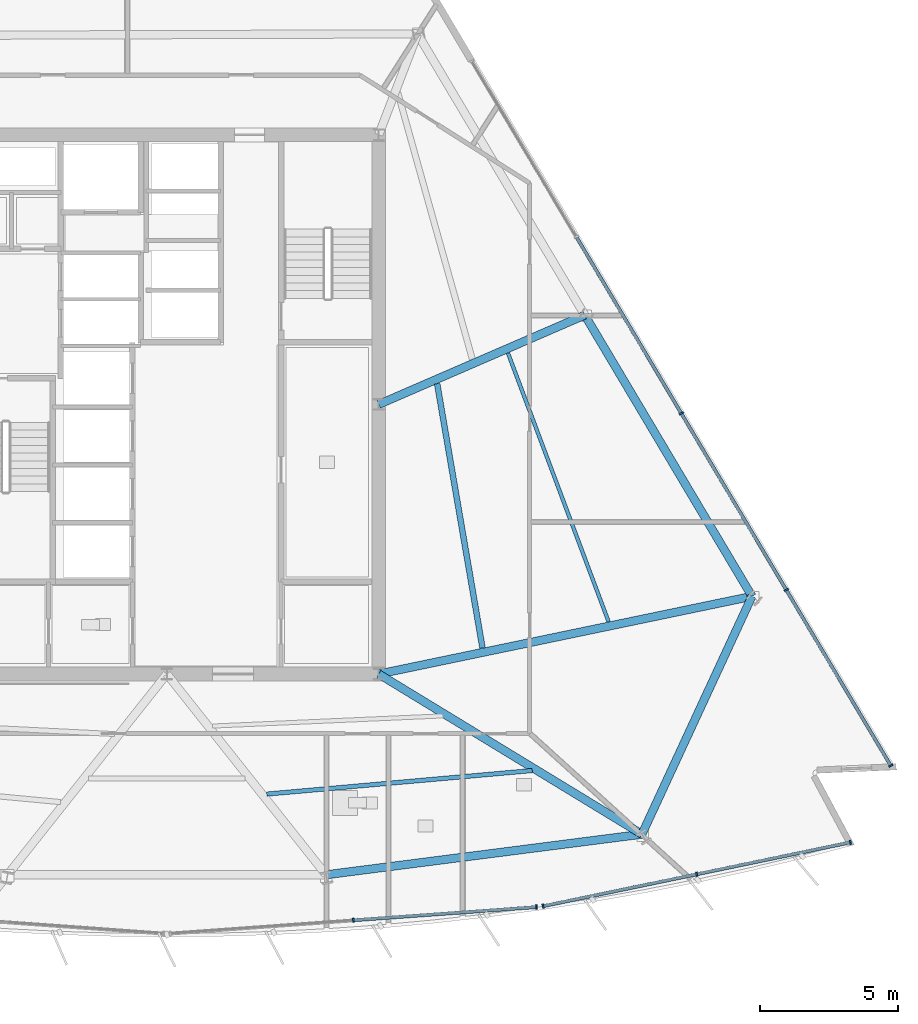
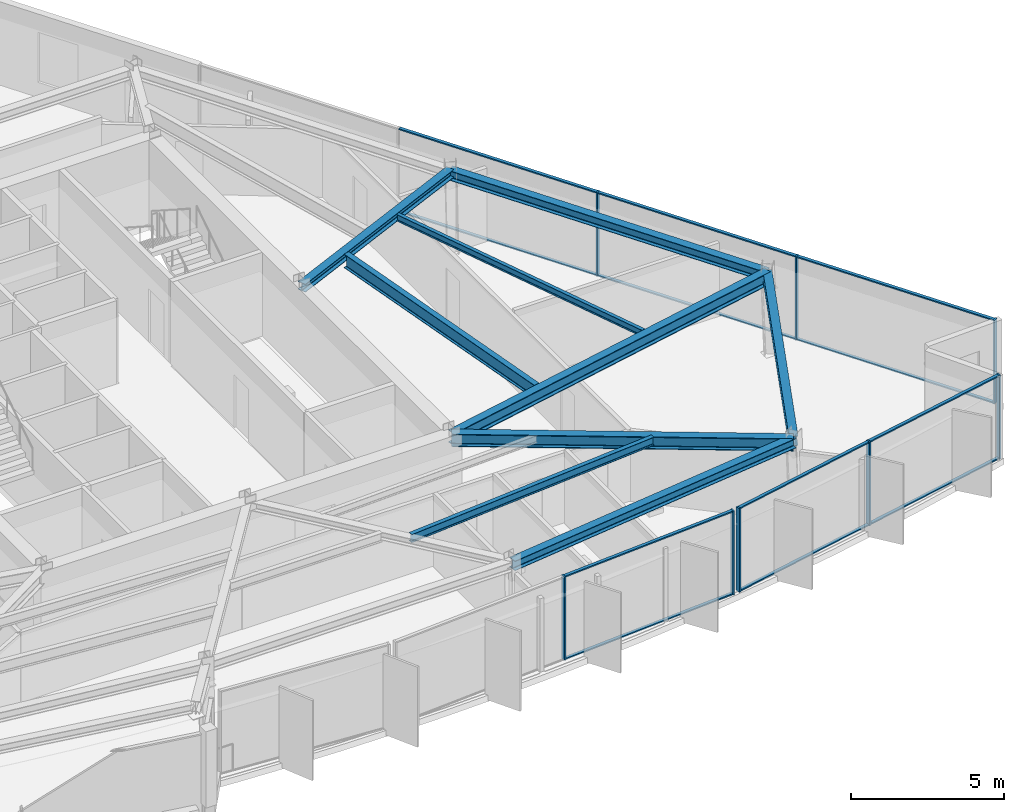
# One storey, part 5 of 14: 20 members, 9 beams, 3 elements without a shape of their own.
"""IFC4 building model written with IfcOpenShell, lengths in metres."""

from ifc_helpers import new_model, si_unit, direction, frame, origin, origin_2d, place, context, subcontext, project, spatial, rectangle, i_section, extrude, material, material_profile, profile_set, type_object, element, aggregate, save


model = new_model("IFC4")

# Units and contexts
model_context = context("Model", 3, precision=1e-05, world=origin(), true_north=direction((0.0, 1.0)))
body_context = subcontext(model_context, "Body", "Model", "MODEL_VIEW")
ifc_project = project(units=[si_unit("LENGTHUNIT", "METRE"), si_unit("AREAUNIT", "SQUARE_METRE"), si_unit("VOLUMEUNIT", "CUBIC_METRE"), si_unit("PLANEANGLEUNIT", "RADIAN"), si_unit("MASSUNIT", "GRAM", prefix="KILO")], contexts=[model_context])

# Site, building, storey
site_placement = place(None, origin())
site = spatial("IfcSite", under=ifc_project, at=site_placement, CompositionType="ELEMENT")
building_placement = place(site_placement, origin())
building = spatial("IfcBuilding", under=site, at=building_placement, Name="Savorim Split Tower", CompositionType="ELEMENT")
storey_placement = place(building_placement, frame((0.0, 0.0, 178.199951171875)))
storey = spatial("IfcBuildingStorey", under=building, at=storey_placement, Name="L47", CompositionType="ELEMENT", Elevation=178.199951171875)

# Beams
ifc_material_1 = material(Name="Steel S355", Category="steel")
ifc_material_profile_1 = material_profile(ifc_material_1, i_section(OverallWidth=0.135009765625, OverallDepth=0.27001953125, WebThickness=0.006591796875, FlangeThickness=0.01025390625, FilletRadius=0.014892578125, at=origin_2d()), Name="IPE 270")
ifc_profile_set_1 = profile_set([ifc_material_profile_1], Name="Steel S355")
beam_type_1 = type_object("IfcBeamType", Name="BM-JST-IPE270", PredefinedType="JOIST", material=ifc_profile_set_1)
beam_1_placement = place(storey_placement, frame((16.053955078125, -7.49853515625, 3.215087890625), z_axis=(-0.350743502753, 0.936471566721, 0.0), x_axis=(-0.936471566721, -0.350743502753, 0.0)))
element("IfcBeam", 1, at=beam_1_placement, inside=storey, type_object=beam_type_1, Name="L47 Secondary Floor Joist JS-06", PredefinedType="JOIST", context=body_context, shape_type="SweptSolid", body=[
    extrude(i_section(OverallWidth=0.135009765625, OverallDepth=0.27001953125, WebThickness=0.006591796875, FlangeThickness=0.01025390625, FilletRadius=0.014892578125, at=origin_2d()), origin(), (0.0, 0.0, 1.0), 10.4228515625),
])
ifc_material_profile_2 = material_profile(ifc_material_1, i_section(OverallWidth=0.159912109375, OverallDepth=0.330078125, WebThickness=0.007568359375, FlangeThickness=0.011474609375, FilletRadius=0.01806640625, at=origin_2d()), Name="IPE 330")
ifc_profile_set_2 = profile_set([ifc_material_profile_2], Name="Steel S355")
beam_type_2 = type_object("IfcBeamType", Name="BM-JST-IPE330", PredefinedType="JOIST", material=ifc_profile_set_2)
beam_2_placement = place(storey_placement, frame((3.631103515625, -13.762939453125, 3.18505859375), z_axis=(0.996087741939, 0.088369736664, 0.0), x_axis=(-0.088369736664, 0.996087741939, 0.0)))
element("IfcBeam", 2, at=beam_2_placement, inside=storey, type_object=beam_type_2, Name="L47 Secondary Floor Joist JS-04", PredefinedType="JOIST", context=body_context, shape_type="SweptSolid", body=[
    extrude(i_section(OverallWidth=0.159912109375, OverallDepth=0.330078125, WebThickness=0.007568359375, FlangeThickness=0.011474609375, FilletRadius=0.01806640625, at=origin_2d()), origin(), (0.0, 0.0, 1.0), 9.68603515625),
])
ifc_material_profile_3 = material_profile(ifc_material_1, i_section(OverallWidth=0.2099609375, OverallDepth=0.550048828125, WebThickness=0.010986328125, FlangeThickness=0.01708984375, FilletRadius=0.02392578125, at=origin_2d()), Name="IPE 550")
ifc_profile_set_3 = profile_set([ifc_material_profile_3], Name="Steel S355")
beam_type_3 = type_object("IfcBeamType", Name="BM-JST-IPE550", PredefinedType="JOIST", material=ifc_profile_set_3)
beam_3_placement = place(storey_placement, frame((11.470947265625, -8.451416015625, 3.074951171875), z_axis=(-0.169098747095, 0.985599114108, 0.0), x_axis=(-0.985599114108, -0.169098747095, 0.0)))
element("IfcBeam", 3, at=beam_3_placement, inside=storey, type_object=beam_type_3, Name="L47 Secondary Floor Joist JS-08", PredefinedType="JOIST", context=body_context, shape_type="SweptSolid", body=[
    extrude(i_section(OverallWidth=0.2099609375, OverallDepth=0.550048828125, WebThickness=0.010986328125, FlangeThickness=0.01708984375, FilletRadius=0.02392578125, at=origin_2d()), origin(), (0.0, 0.0, 1.0), 9.74267578125),
])
ifc_material_profile_4 = material_profile(ifc_material_1, i_section(OverallWidth=0.300048828125, OverallDepth=0.320068359375, WebThickness=0.011474609375, FlangeThickness=0.0205078125, FilletRadius=0.027099609375, at=origin_2d()), Name="HEB 320")
ifc_profile_set_4 = profile_set([ifc_material_profile_4], Name="Steel S355")
beam_type_4 = type_object("IfcBeamType", Name="BM-PRI-HEB320", PredefinedType="BEAM", material=ifc_profile_set_4)
beam_4_placement = place(storey_placement, frame((15.1875, 3.6455078125, 3.18994140625), z_axis=(-0.917510870599, -0.397710701808, 0.0), x_axis=(0.397710701808, -0.917510870599, 0.0)))
element("IfcBeam", 4, at=beam_4_placement, inside=storey, type_object=beam_type_4, Name="L47 Primary Floor Girder RG-06", PredefinedType="BEAM", context=body_context, shape_type="SweptSolid", body=[
    extrude(i_section(OverallWidth=0.300048828125, OverallDepth=0.320068359375, WebThickness=0.011474609375, FlangeThickness=0.0205078125, FilletRadius=0.027099609375, at=origin_2d()), origin(), (0.0, 0.0, 1.0), 8.16064453125),
])
ifc_material_profile_5 = material_profile(ifc_material_1, i_section(OverallWidth=0.300048828125, OverallDepth=0.5, WebThickness=0.014404296875, FlangeThickness=0.028076171875, FilletRadius=0.027099609375, at=origin_2d()), Name="HEB 500")
ifc_profile_set_5 = profile_set([ifc_material_profile_5], Name="Steel S355")
beam_type_5 = type_object("IfcBeamType", Name="BM-PRI-HEB500", PredefinedType="BEAM", material=ifc_profile_set_5)
beam_5_placement = place(storey_placement, frame((17.264404296875, -15.221435546875, 3.10009765625), z_axis=(-0.854210765866, 0.519926886667, 0.0), x_axis=(-0.519926886667, -0.854210765866, 0.0)))
element("IfcBeam", 5, at=beam_5_placement, inside=storey, type_object=beam_type_5, Name="L47 Primary Floor Girder RG-04", PredefinedType="BEAM", context=body_context, shape_type="SweptSolid", body=[
    extrude(i_section(OverallWidth=0.300048828125, OverallDepth=0.5, WebThickness=0.014404296875, FlangeThickness=0.028076171875, FilletRadius=0.027099609375, at=origin_2d()), origin(), (0.0, 0.0, 1.0), 11.19677734375),
])
beam_6_placement = place(storey_placement, frame((21.2646484375, -6.574951171875, 3.10009765625), z_axis=(-0.978995222806, -0.203883186463, 0.0), x_axis=(0.203883186463, -0.978995222806, 0.0)))
element("IfcBeam", 6, at=beam_6_placement, inside=storey, type_object=beam_type_5, Name="L47 Primary Floor Girder RG-05", PredefinedType="BEAM", context=body_context, shape_type="SweptSolid", body=[
    extrude(i_section(OverallWidth=0.300048828125, OverallDepth=0.5, WebThickness=0.014404296875, FlangeThickness=0.028076171875, FilletRadius=0.027099609375, at=origin_2d()), origin(), (0.0, 0.0, 1.0), 13.855712890625),
])
ifc_material_profile_6 = material_profile(ifc_material_1, i_section(OverallWidth=0.300048828125, OverallDepth=0.389892578125, WebThickness=0.010986328125, FlangeThickness=0.01904296875, FilletRadius=0.027099609375, at=origin_2d()), Name="HEA 400")
ifc_profile_set_6 = profile_set([ifc_material_profile_6], Name="Steel S355")
beam_type_6 = type_object("IfcBeamType", Name="BM-SPN-HEA400", PredefinedType="SPANDREL", material=ifc_profile_set_6)
beam_7_placement = place(storey_placement, frame((5.7861328125, -16.695068359375, 3.155029296875), z_axis=(0.991859201628, 0.127339405318, 0.0), x_axis=(-0.127339405318, 0.991859201628, 0.0)))
element("IfcBeam", 7, at=beam_7_placement, inside=storey, type_object=beam_type_6, Name="L47 Perimeter Spandrel Beam 3", PredefinedType="SPANDREL", context=body_context, shape_type="SweptSolid", body=[
    extrude(i_section(OverallWidth=0.300048828125, OverallDepth=0.389892578125, WebThickness=0.010986328125, FlangeThickness=0.01904296875, FilletRadius=0.027099609375, at=origin_2d()), origin(), (0.0, 0.0, 1.0), 11.572509765625),
])
beam_8_placement = place(storey_placement, frame((17.264404296875, -15.221435546875, 3.155029296875), z_axis=(0.419885167061, 0.907577239954, 0.0), x_axis=(-0.907577239954, 0.419885167061, 0.0)))
element("IfcBeam", 8, at=beam_8_placement, inside=storey, type_object=beam_type_6, Name="L47 Perimeter Spandrel Beam 4", PredefinedType="SPANDREL", context=body_context, shape_type="SweptSolid", body=[
    extrude(i_section(OverallWidth=0.300048828125, OverallDepth=0.389892578125, WebThickness=0.010986328125, FlangeThickness=0.01904296875, FilletRadius=0.027099609375, at=origin_2d()), origin(), (0.0, 0.0, 1.0), 9.527099609375),
])
beam_9_placement = place(storey_placement, frame((21.2646484375, -6.574951171875, 3.155029296875), z_axis=(-0.511082772415, 0.859531500145, 0.0), x_axis=(-0.859531500145, -0.511082772415, 0.0)))
element("IfcBeam", 9, at=beam_9_placement, inside=storey, type_object=beam_type_6, Name="L47 Perimeter Spandrel Beam 5", PredefinedType="SPANDREL", context=body_context, shape_type="SweptSolid", body=[
    extrude(i_section(OverallWidth=0.300048828125, OverallDepth=0.389892578125, WebThickness=0.010986328125, FlangeThickness=0.01904296875, FilletRadius=0.027099609375, at=origin_2d()), origin(), (0.0, 0.0, 1.0), 11.890625),
])

# Curtain wall, members
ifc_material_2 = material(Name="Dark Ceramic-Fritted Insulated Glass", Category="glass")
curtain_wall_type = type_object("IfcCurtainWallType", Name="CW-TWR-FRIT-B", PredefinedType="NOTDEFINED", material=ifc_material_2)
curtain_wall_1_placement = place(storey_placement, origin())
curtain_wall_1 = element("IfcCurtainWall", 10, at=curtain_wall_1_placement, inside=storey, type_object=curtain_wall_type, Name="L47 Curtain Wall CW-L47-SF3A", PredefinedType="NOTDEFINED")
ifc_material_3 = material(Name="Charcoal Anodised Aluminium", Category="aluminium")
ifc_material_profile_7 = material_profile(ifc_material_3, rectangle(XDim=0.159912109375, YDim=0.06005859375, at=origin_2d()), Name="ALU-M 160x60")
ifc_profile_set_7 = profile_set([ifc_material_profile_7], Name="Charcoal Anodised Aluminium")
member_type_1 = type_object("IfcMemberType", Name="CWM-160x60", PredefinedType="MULLION", material=ifc_profile_set_7)
member_1_placement = place(storey_placement, frame((6.77685546875, -18.345458984375, 0.0), z_axis=(0.0, 0.0, 1.0), x_axis=(-0.07155928658, 0.997436348097, 0.0)))
member_1 = element("IfcMember", 11, at=member_1_placement, type_object=member_type_1, Name="CW-03 mullion 2", PredefinedType="MULLION", context=body_context, shape_type="SweptSolid", body=[
    extrude(rectangle(XDim=0.159912109375, YDim=0.06005859375, at=origin_2d()), origin(), (0.0, 0.0, 1.0), 3.35009765625),
])
member_2_placement = place(storey_placement, frame((13.4326171875, -17.8681640625, 0.0), z_axis=(0.0, 0.0, 1.0), x_axis=(-0.07155928658, 0.997436348097, 0.0)))
member_2 = element("IfcMember", 12, at=member_2_placement, type_object=member_type_1, Name="CW-03 mullion 3", PredefinedType="MULLION", context=body_context, shape_type="SweptSolid", body=[
    extrude(rectangle(XDim=0.159912109375, YDim=0.06005859375, at=origin_2d()), origin(), (0.0, 0.0, 1.0), 3.35009765625),
])

curtain_wall_2_placement = place(storey_placement, origin())
curtain_wall_2 = element("IfcCurtainWall", 13, at=curtain_wall_2_placement, inside=storey, type_object=curtain_wall_type, Name="L47 Curtain Wall CW-L47-SF4A", PredefinedType="NOTDEFINED")
member_3_placement = place(storey_placement, frame((13.673583984375, -17.83447265625, 0.0), z_axis=(0.0, 0.0, 1.0), x_axis=(-0.20321645683, 0.979133837467, 0.0)))
member_3 = element("IfcMember", 14, at=member_3_placement, type_object=member_type_1, Name="CW-03 mullion 1", PredefinedType="MULLION", context=body_context, shape_type="SweptSolid", body=[
    extrude(rectangle(XDim=0.159912109375, YDim=0.06005859375, at=origin_2d()), origin(), (0.0, 0.0, 1.0), 3.35009765625),
])
member_4_placement = place(storey_placement, frame((19.257080078125, -16.67578125, 0.0), z_axis=(0.0, 0.0, 1.0), x_axis=(-0.20321645683, 0.979133837467, 0.0)))
member_4 = element("IfcMember", 15, at=member_4_placement, type_object=member_type_1, Name="CW-03 mullion 2", PredefinedType="MULLION", context=body_context, shape_type="SweptSolid", body=[
    extrude(rectangle(XDim=0.159912109375, YDim=0.06005859375, at=origin_2d()), origin(), (0.0, 0.0, 1.0), 3.35009765625),
])
member_5_placement = place(storey_placement, frame((24.84033203125, -15.516845703125, 0.0), z_axis=(0.0, 0.0, 1.0), x_axis=(-0.20321645683, 0.979133837467, 0.0)))
member_5 = element("IfcMember", 16, at=member_5_placement, type_object=member_type_1, Name="CW-03 mullion 3", PredefinedType="MULLION", context=body_context, shape_type="SweptSolid", body=[
    extrude(rectangle(XDim=0.159912109375, YDim=0.06005859375, at=origin_2d()), origin(), (0.0, 0.0, 1.0), 3.35009765625),
])

curtain_wall_3_placement = place(storey_placement, origin())
curtain_wall_3 = element("IfcCurtainWall", 17, at=curtain_wall_3_placement, inside=storey, type_object=curtain_wall_type, Name="L47 Curtain Wall CW-L47-EAST", PredefinedType="NOTDEFINED")
member_6_placement = place(storey_placement, frame((26.31005859375, -12.7314453125, 0.0), z_axis=(0.0, 0.0, 1.0), x_axis=(-0.85952495128, -0.511093786039, 0.0)))
member_6 = element("IfcMember", 18, at=member_6_placement, type_object=member_type_1, Name="CW-03 mullion 1", PredefinedType="MULLION", context=body_context, shape_type="SweptSolid", body=[
    extrude(rectangle(XDim=0.159912109375, YDim=0.06005859375, at=origin_2d()), origin(), (0.0, 0.0, 1.0), 3.35009765625),
])
member_7_placement = place(storey_placement, frame((22.5107421875, -6.34228515625, 0.0), z_axis=(0.0, 0.0, 1.0), x_axis=(-0.85952495128, -0.511093786039, 0.0)))
member_7 = element("IfcMember", 19, at=member_7_placement, type_object=member_type_1, Name="CW-03 mullion 2", PredefinedType="MULLION", context=body_context, shape_type="SweptSolid", body=[
    extrude(rectangle(XDim=0.159912109375, YDim=0.06005859375, at=origin_2d()), origin(), (0.0, 0.0, 1.0), 3.35009765625),
])
member_8_placement = place(storey_placement, frame((18.6962890625, 0.07275390625, 0.0), z_axis=(0.0, 0.0, 1.0), x_axis=(-0.85952495128, -0.511093786039, 0.0)))
member_8 = element("IfcMember", 20, at=member_8_placement, type_object=member_type_1, Name="CW-03 mullion 3", PredefinedType="MULLION", context=body_context, shape_type="SweptSolid", body=[
    extrude(rectangle(XDim=0.159912109375, YDim=0.06005859375, at=origin_2d()), origin(), (0.0, 0.0, 1.0), 3.35009765625),
])

# Member
ifc_material_profile_8 = material_profile(ifc_material_3, rectangle(XDim=0.1201171875, YDim=0.050048828125, at=origin_2d()), Name="ALU-T 120x50")
ifc_profile_set_8 = profile_set([ifc_material_profile_8], Name="Charcoal Anodised Aluminium")
member_type_2 = type_object("IfcMemberType", Name="CWT-120x50", PredefinedType="USERDEFINED", material=ifc_profile_set_8)
member_9_placement = place(storey_placement, frame((6.806884765625, -18.343505859375, 0.025146484375), z_axis=(0.997434277973, 0.071588135364, 0.0), x_axis=(-0.071588135364, 0.997434277973, 0.0)))
member_9 = element("IfcMember", 21, at=member_9_placement, type_object=member_type_2, Name="CW-03 transom 2.1", ObjectType="TRANSOM", PredefinedType="USERDEFINED", context=body_context, shape_type="SweptSolid", body=[
    extrude(rectangle(XDim=0.1201171875, YDim=0.050048828125, at=origin_2d()), origin(), (0.0, 0.0, 1.0), 6.612548828125),
])

member_10_placement = place(storey_placement, frame((6.806884765625, -18.343505859375, 3.324951171875), z_axis=(0.997434277973, 0.071588135364, 0.0), x_axis=(-0.071588135364, 0.997434277973, 0.0)))
member_10 = element("IfcMember", 22, at=member_10_placement, type_object=member_type_2, Name="CW-03 transom 2.2", ObjectType="TRANSOM", PredefinedType="USERDEFINED", context=body_context, shape_type="SweptSolid", body=[
    extrude(rectangle(XDim=0.1201171875, YDim=0.050048828125, at=origin_2d()), origin(), (0.0, 0.0, 1.0), 6.612548828125),
])

aggregate(curtain_wall_1, [member_1, member_2, member_9, member_10])

member_11_placement = place(storey_placement, frame((13.703125, -17.828369140625, 0.025146484375), z_axis=(0.979137086362, 0.203200802437, 0.0), x_axis=(-0.203200802437, 0.979137086362, 0.0)))
member_11 = element("IfcMember", 23, at=member_11_placement, type_object=member_type_2, Name="CW-03 transom 1.1", ObjectType="TRANSOM", PredefinedType="USERDEFINED", context=body_context, shape_type="SweptSolid", body=[
    extrude(rectangle(XDim=0.1201171875, YDim=0.050048828125, at=origin_2d()), origin(), (0.0, 0.0, 1.0), 5.64208984375),
])

member_12_placement = place(storey_placement, frame((13.703125, -17.828369140625, 3.324951171875), z_axis=(0.979137086362, 0.203200802437, 0.0), x_axis=(-0.203200802437, 0.979137086362, 0.0)))
member_12 = element("IfcMember", 24, at=member_12_placement, type_object=member_type_2, Name="CW-03 transom 1.2", ObjectType="TRANSOM", PredefinedType="USERDEFINED", context=body_context, shape_type="SweptSolid", body=[
    extrude(rectangle(XDim=0.1201171875, YDim=0.050048828125, at=origin_2d()), origin(), (0.0, 0.0, 1.0), 5.64208984375),
])

member_13_placement = place(storey_placement, frame((19.286376953125, -16.669677734375, 0.025146484375), z_axis=(0.979130263576, 0.203233675727, 0.0), x_axis=(-0.203233675727, 0.979130263576, 0.0)))
member_13 = element("IfcMember", 25, at=member_13_placement, type_object=member_type_2, Name="CW-03 transom 2.1", ObjectType="TRANSOM", PredefinedType="USERDEFINED", context=body_context, shape_type="SweptSolid", body=[
    extrude(rectangle(XDim=0.1201171875, YDim=0.050048828125, at=origin_2d()), origin(), (0.0, 0.0, 1.0), 5.642333984375),
])

member_14_placement = place(storey_placement, frame((19.286376953125, -16.669677734375, 3.324951171875), z_axis=(0.979130263576, 0.203233675727, 0.0), x_axis=(-0.203233675727, 0.979130263576, 0.0)))
member_14 = element("IfcMember", 26, at=member_14_placement, type_object=member_type_2, Name="CW-03 transom 2.2", ObjectType="TRANSOM", PredefinedType="USERDEFINED", context=body_context, shape_type="SweptSolid", body=[
    extrude(rectangle(XDim=0.1201171875, YDim=0.050048828125, at=origin_2d()), origin(), (0.0, 0.0, 1.0), 5.642333984375),
])

aggregate(curtain_wall_2, [member_3, member_4, member_5, member_11, member_12, member_13, member_14])

member_15_placement = place(storey_placement, frame((26.294677734375, -12.70556640625, 0.025146484375), z_axis=(-0.511097871575, 0.859522521911, 0.0), x_axis=(-0.859522521911, -0.511097871575, 0.0)))
member_15 = element("IfcMember", 27, at=member_15_placement, type_object=member_type_2, Name="CW-03 transom 1.1", ObjectType="TRANSOM", PredefinedType="USERDEFINED", context=body_context, shape_type="SweptSolid", body=[
    extrude(rectangle(XDim=0.1201171875, YDim=0.050048828125, at=origin_2d()), origin(), (0.0, 0.0, 1.0), 7.37353515625),
])

member_16_placement = place(storey_placement, frame((26.294677734375, -12.70556640625, 3.324951171875), z_axis=(-0.511097871575, 0.859522521911, 0.0), x_axis=(-0.859522521911, -0.511097871575, 0.0)))
member_16 = element("IfcMember", 28, at=member_16_placement, type_object=member_type_2, Name="CW-03 transom 1.2", ObjectType="TRANSOM", PredefinedType="USERDEFINED", context=body_context, shape_type="SweptSolid", body=[
    extrude(rectangle(XDim=0.1201171875, YDim=0.050048828125, at=origin_2d()), origin(), (0.0, 0.0, 1.0), 7.37353515625),
])

member_17_placement = place(storey_placement, frame((22.495361328125, -6.31640625, 0.025146484375), z_axis=(-0.511072759011, 0.859537454098, 0.0), x_axis=(-0.859537454098, -0.511072759011, 0.0)))
member_17 = element("IfcMember", 29, at=member_17_placement, type_object=member_type_2, Name="CW-03 transom 2.1", ObjectType="TRANSOM", PredefinedType="USERDEFINED", context=body_context, shape_type="SweptSolid", body=[
    extrude(rectangle(XDim=0.1201171875, YDim=0.050048828125, at=origin_2d()), origin(), (0.0, 0.0, 1.0), 7.4033203125),
])

member_18_placement = place(storey_placement, frame((22.495361328125, -6.31640625, 3.324951171875), z_axis=(-0.511072759011, 0.859537454098, 0.0), x_axis=(-0.859537454098, -0.511072759011, 0.0)))
member_18 = element("IfcMember", 30, at=member_18_placement, type_object=member_type_2, Name="CW-03 transom 2.2", ObjectType="TRANSOM", PredefinedType="USERDEFINED", context=body_context, shape_type="SweptSolid", body=[
    extrude(rectangle(XDim=0.1201171875, YDim=0.050048828125, at=origin_2d()), origin(), (0.0, 0.0, 1.0), 7.4033203125),
])

member_19_placement = place(storey_placement, frame((18.680908203125, 0.0986328125, 0.025146484375), z_axis=(-0.511097121727, 0.859522967792, 0.0), x_axis=(-0.859522967792, -0.511097121727, 0.0)))
member_19 = element("IfcMember", 31, at=member_19_placement, type_object=member_type_2, Name="CW-03 transom 3.1", ObjectType="TRANSOM", PredefinedType="USERDEFINED", context=body_context, shape_type="SweptSolid", body=[
    extrude(rectangle(XDim=0.1201171875, YDim=0.050048828125, at=origin_2d()), origin(), (0.0, 0.0, 1.0), 7.403564453125),
])

member_20_placement = place(storey_placement, frame((18.680908203125, 0.0986328125, 3.324951171875), z_axis=(-0.511097121727, 0.859522967792, 0.0), x_axis=(-0.859522967792, -0.511097121727, 0.0)))
member_20 = element("IfcMember", 32, at=member_20_placement, type_object=member_type_2, Name="CW-03 transom 3.2", ObjectType="TRANSOM", PredefinedType="USERDEFINED", context=body_context, shape_type="SweptSolid", body=[
    extrude(rectangle(XDim=0.1201171875, YDim=0.050048828125, at=origin_2d()), origin(), (0.0, 0.0, 1.0), 7.403564453125),
])

aggregate(curtain_wall_3, [member_6, member_7, member_8, member_15, member_16, member_17, member_18, member_19, member_20])

save(model, "model.ifc")
